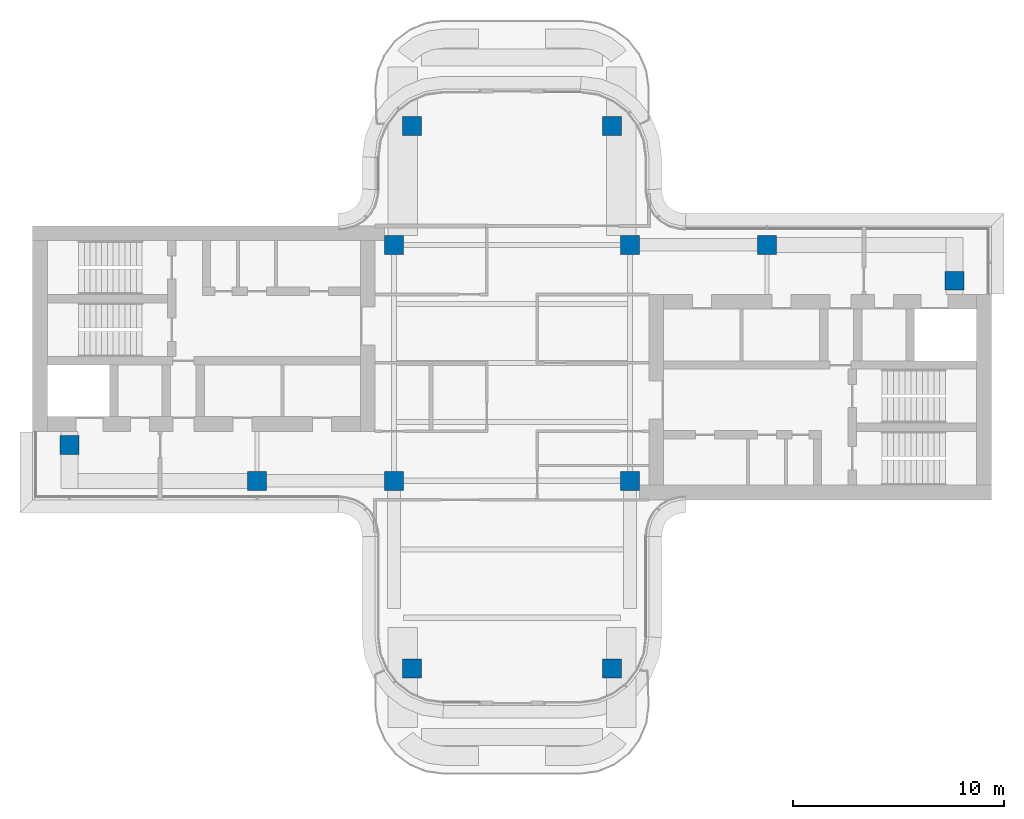
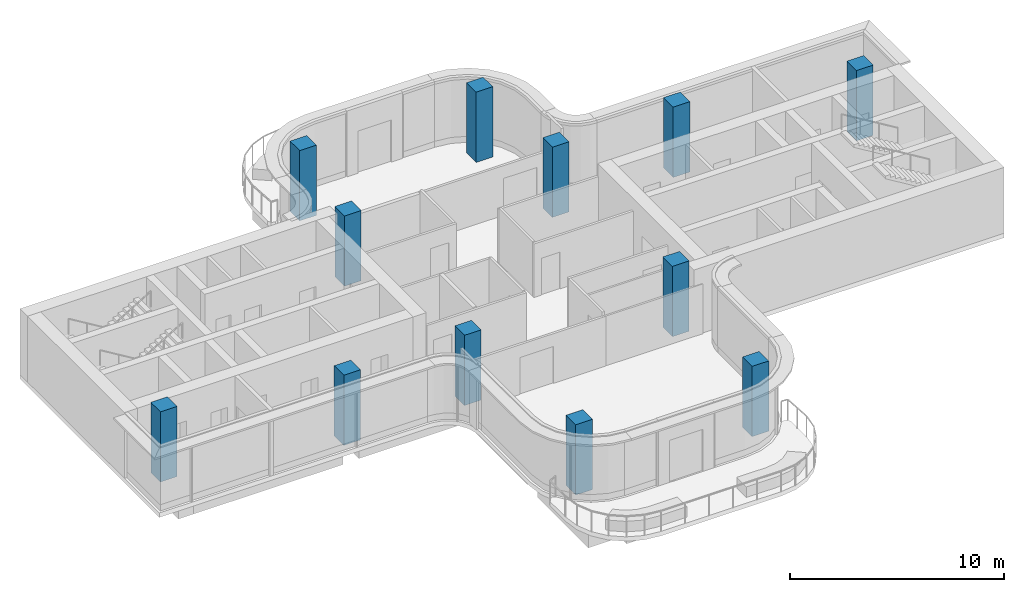
# One storey, part 1 of 11: 12 columns.
"""IFC4 building model written with IfcOpenShell, lengths in metres."""

from ifc_helpers import new_model, si_unit, direction, frame, origin, origin_2d, place, context, subcontext, project, spatial, rectangle, extrude, source, transform, mapped, material, material_profile, profile_set, type_object, element, save


model = new_model("IFC4")

# Units and contexts
model_context = context("Model", 3, precision=1e-05, world=origin(), true_north=direction((0.0, 1.0)))
body_context = subcontext(model_context, "Body", "Model", "MODEL_VIEW")
ifc_project = project(units=[si_unit("LENGTHUNIT", "METRE"), si_unit("AREAUNIT", "SQUARE_METRE"), si_unit("VOLUMEUNIT", "CUBIC_METRE"), si_unit("PLANEANGLEUNIT", "RADIAN"), si_unit("MASSUNIT", "GRAM", prefix="KILO")], contexts=[model_context])

# Site, building, storey
site_placement = place(None, origin())
site = spatial("IfcSite", under=ifc_project, at=site_placement, CompositionType="ELEMENT")
building_placement = place(site_placement, origin())
building = spatial("IfcBuilding", under=site, at=building_placement, Name="Trellis Farm Tower", CompositionType="ELEMENT")
storey_placement = place(building_placement, frame((0.0, 0.0, 346.10009765625)))
storey = spatial("IfcBuildingStorey", under=building, at=storey_placement, Name="L78", CompositionType="ELEMENT", Elevation=346.10009765625)

# Columns
ifc_material = material(Name="Concrete C50/60", Category="concrete")
ifc_material_profile = material_profile(ifc_material, rectangle(XDim=0.89990234375, YDim=0.89990234375, at=origin_2d()), Name="RC column 900x900 C50/60")
ifc_profile_set = profile_set([ifc_material_profile], Name="Concrete C50/60")
column_type = type_object("IfcColumnType", Name="RC column 900x900 C50/60", PredefinedType="COLUMN", material=ifc_profile_set)
shared_shape = source(origin(), body_context, "Body", "SweptSolid", [
    extrude(rectangle(XDim=0.89990234375, YDim=0.89990234375, at=origin_2d()), origin(), (0.0, 0.0, 1.0), 4.0),
])
for number, where, z_axis, x_axis, name in (
    (1, (12.10009765625, 5.60009765625, 0.0), (0.0, 0.0, 1.0), (1.0, 0.0, 0.0), "Column"),
    (2, (21.0, 3.89990234375, 0.0), (0.0, 0.0, 1.0), (1.0, 0.0, 0.0), "Column"),
    (3, (-4.75, 11.25, 0.0), (0.0, 0.0, 1.0), (1.0, 0.0, 0.0), "Column"),
    (4, (4.75, 11.25, 0.0), (0.0, 0.0, 1.0), (1.0, 0.0, 0.0), "Column"),
    (5, (5.60009765625, 5.60009765625, 0.0), (0.0, 0.0, 1.0), (1.0, 0.0, 0.0), "Column"),
    (6, (-5.60009765625, 5.60009765625, 0.0), (0.0, 0.0, 1.0), (1.0, 0.0, 0.0), "Column"),
    (7, (5.60009765625, -5.60009765625, 0.0), (0.0, 0.0, 1.0), (1.0, 0.0, 0.0), "Column"),
    (8, (-5.60009765625, -5.60009765625, 0.0), (0.0, 0.0, 1.0), (1.0, 0.0, 0.0), "Column"),
    (9, (4.75, -14.5, 0.0), (0.0, 0.0, 1.0), (1.0, 0.0, 0.0), "Column"),
    (10, (-4.75, -14.5, 0.0), (0.0, 0.0, 1.0), (1.0, 0.0, 0.0), "Column"),
    (11, (-12.10009765625, -5.60009765625, 0.0), (0.0, 0.0, 1.0), (1.0, 0.0, 0.0), "Column"),
    (12, (-21.0, -3.89990234375, 0.0), (0.0, 0.0, 1.0), (1.0, 0.0, 0.0), "Column"),
):
    element("IfcColumn", number, at=place(storey_placement, frame(where, z_axis=z_axis, x_axis=x_axis)), inside=storey, type_object=column_type, Name=name, PredefinedType="COLUMN", context=body_context, shape_type="MappedRepresentation", body=[
        mapped(shared_shape, transform((0.0, 0.0, 0.0))),
    ])

save(model, "model.ifc")
